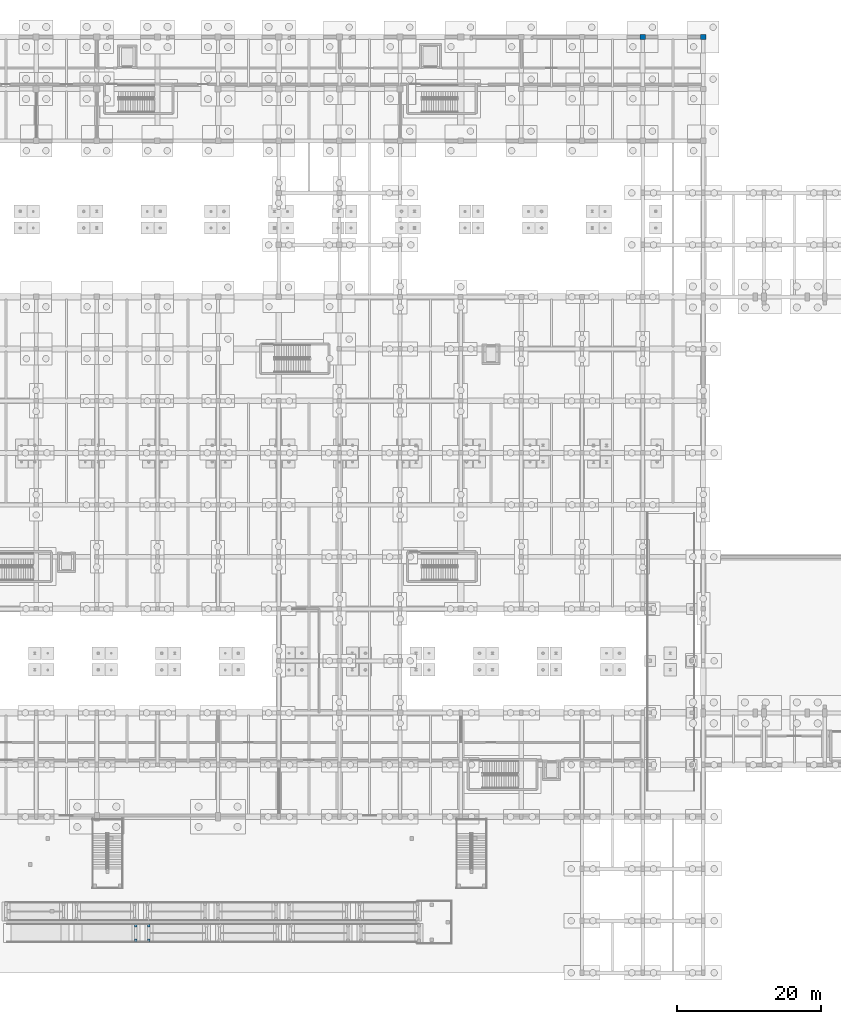
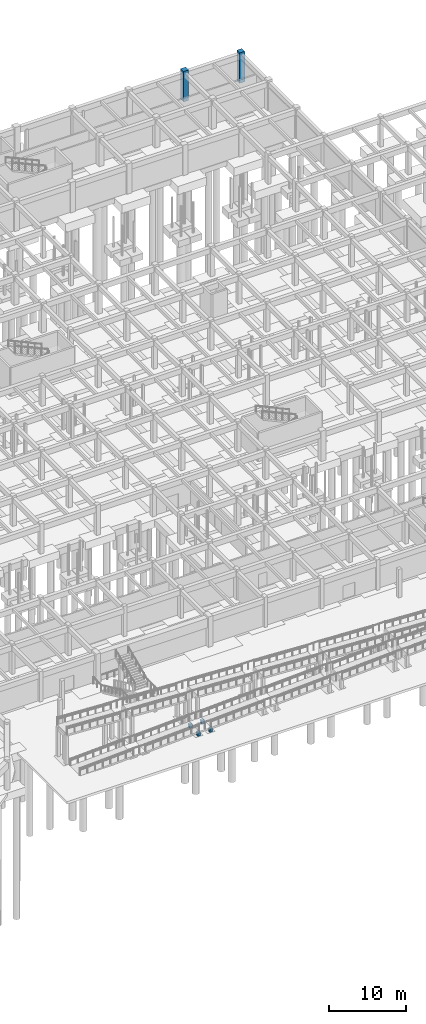
# One storey, part 50 of 80: 6 columns.
"""IFC4 building model written with IfcOpenShell, lengths in metres."""

from ifc_helpers import new_model, si_unit, direction, frame, origin, origin_2d, place, context, subcontext, project, spatial, rectangle, extrude, material, material_profile, profile_set, type_object, element, save


model = new_model("IFC4")

# Units and contexts
model_context = context("Model", 3, precision=1e-05, world=origin(), true_north=direction((0.0, 1.0)))
body_context = subcontext(model_context, "Body", "Model", "MODEL_VIEW")
ifc_project = project(units=[si_unit("LENGTHUNIT", "METRE"), si_unit("AREAUNIT", "SQUARE_METRE"), si_unit("VOLUMEUNIT", "CUBIC_METRE"), si_unit("PLANEANGLEUNIT", "RADIAN"), si_unit("MASSUNIT", "GRAM", prefix="KILO")], contexts=[model_context])

# Site, building, storey
site_placement = place(None, origin())
site = spatial("IfcSite", under=ifc_project, at=site_placement, CompositionType="ELEMENT")
building_placement = place(site_placement, origin())
building = spatial("IfcBuilding", under=site, at=building_placement, Name="Malvenik Polytechnic", CompositionType="ELEMENT")
storey_placement = place(building_placement, frame((0.0, 0.0, -4.800048828125)))
storey = spatial("IfcBuildingStorey", under=building, at=storey_placement, Name="B1", CompositionType="ELEMENT", Elevation=-4.800048828125)

# Columns
ifc_material_1 = material(Name="Concrete C40/50", Category="concrete")
ifc_material_profile_1 = material_profile(ifc_material_1, rectangle(XDim=0.75, YDim=0.75, at=origin_2d()), Name="RC COL 750x750")
ifc_profile_set_1 = profile_set([ifc_material_profile_1], Name="Concrete C40/50")
column_type_1 = type_object("IfcColumnType", Name="STR-COL-C-03", PredefinedType="COLUMN", material=ifc_profile_set_1)
for number, where, z_axis, x_axis, name in (
    (1, (126.0, 129.60009765625, 0.0), (0.0, 0.0, 1.0), (1.0, 0.0, 0.0), "Column C-03 B1 (126.0,129.6)"),
    (2, (134.39990234375, 129.60009765625, 0.0), (0.0, 0.0, 1.0), (1.0, 0.0, 0.0), "Column C-03 B1 (134.4,129.6)"),
):
    element("IfcColumn", number, at=place(storey_placement, frame(where, z_axis=z_axis, x_axis=x_axis)), inside=storey, type_object=column_type_1, Name=name, PredefinedType="COLUMN", context=body_context, shape_type="SweptSolid", body=[
        extrude(rectangle(XDim=0.75, YDim=0.75, at=origin_2d()), origin(), (0.0, 0.0, 1.0), 4.800048828125),
    ])
ifc_material_2 = material(Name="Concrete C30/37", Category="concrete")
ifc_material_profile_2 = material_profile(ifc_material_2, rectangle(XDim=0.39990234375, YDim=0.39990234375, at=origin_2d()), Name="RC COL 400x400")
ifc_profile_set_2 = profile_set([ifc_material_profile_2], Name="Concrete C30/37")
column_type_2 = type_object("IfcColumnType", Name="STR-COL-C-10", PredefinedType="COLUMN", material=ifc_profile_set_2)
for number, where, z_axis, x_axis, name in (
    (3, (55.800048828125, 4.449951171875, 0.0), (0.0, 0.0, 1.0), (1.0, 0.0, 0.0), "Forecourt Ramp Pier RB-04-3S"),
    (4, (55.800048828125, 6.550048828125, 0.0), (0.0, 0.0, 1.0), (1.0, 0.0, 0.0), "Forecourt Ramp Pier RB-04-3N"),
    (5, (57.60009765625, 4.449951171875, 0.0), (0.0, 0.0, 1.0), (1.0, 0.0, 0.0), "Forecourt Ramp Pier RB-04-4S"),
    (6, (57.60009765625, 6.550048828125, 0.0), (0.0, 0.0, 1.0), (1.0, 0.0, 0.0), "Forecourt Ramp Pier RB-04-4N"),
):
    element("IfcColumn", number, at=place(storey_placement, frame(where, z_axis=z_axis, x_axis=x_axis)), inside=storey, type_object=column_type_2, Name=name, PredefinedType="COLUMN", context=body_context, shape_type="SweptSolid", body=[
        extrude(rectangle(XDim=0.39990234375, YDim=0.39990234375, at=origin_2d()), origin(), (0.0, 0.0, 1.0), 0.6201171875),
    ])

save(model, "model.ifc")
